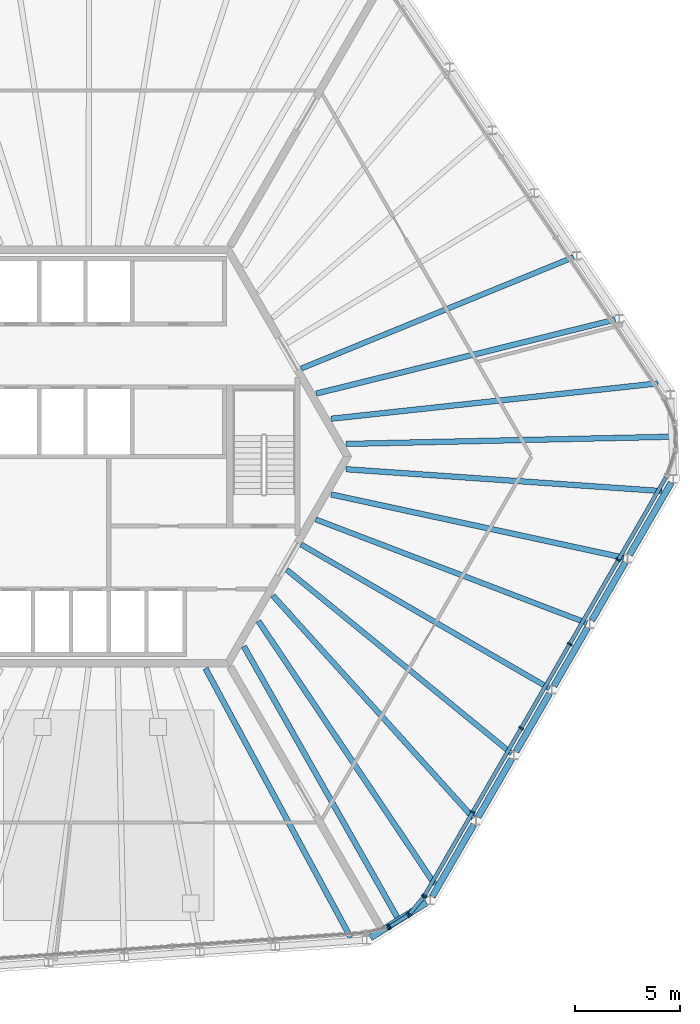
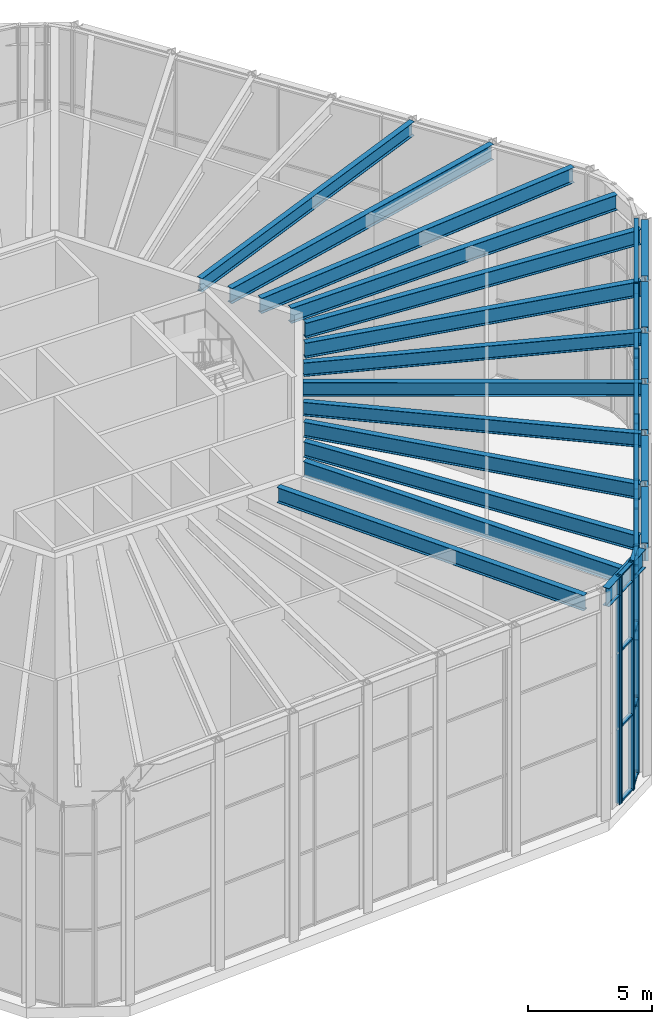
# One storey, part 5 of 17: 38 members, 20 beams, 4 elements without a shape of their own.
"""IFC4 building model written with IfcOpenShell, lengths in metres."""

from ifc_helpers import new_model, si_unit, direction, frame, origin, origin_2d, place, context, subcontext, project, spatial, rectangle, i_section, extrude, material, material_profile, profile_set, type_object, element, aggregate, save


model = new_model("IFC4")

# Units and contexts
model_context = context("Model", 3, precision=1e-05, world=origin(), true_north=direction((0.0, 1.0)))
body_context = subcontext(model_context, "Body", "Model", "MODEL_VIEW")
ifc_project = project(units=[si_unit("LENGTHUNIT", "METRE"), si_unit("AREAUNIT", "SQUARE_METRE"), si_unit("VOLUMEUNIT", "CUBIC_METRE"), si_unit("PLANEANGLEUNIT", "RADIAN"), si_unit("MASSUNIT", "GRAM", prefix="KILO")], contexts=[model_context])

# Site, building, storey
site_placement = place(None, origin())
site = spatial("IfcSite", under=ifc_project, at=site_placement, CompositionType="ELEMENT")
building_placement = place(site_placement, origin())
building = spatial("IfcBuilding", under=site, at=building_placement, Name="Tarnside Tower", CompositionType="ELEMENT")
storey_placement = place(building_placement, frame((0.0, 0.0, 376.800048828125)))
storey = spatial("IfcBuildingStorey", under=building, at=storey_placement, Name="L91", CompositionType="ELEMENT", Elevation=376.800048828125)

# Curtain wall, members
ifc_material_1 = material(Name="Damper hall glazing wall", Category="glass")
curtain_wall_type = type_object("IfcCurtainWallType", Name="Damper hall glazing wall", PredefinedType="NOTDEFINED", material=ifc_material_1)
curtain_wall_1_placement = place(storey_placement, origin())
curtain_wall_1 = element("IfcCurtainWall", 1, at=curtain_wall_1_placement, inside=storey, type_object=curtain_wall_type, Name="Damper hall glazing L91 08", PredefinedType="NOTDEFINED")
ifc_material_2 = material(Name="Aluminium alloy 6063", Category="aluminium")
ifc_material_profile_1 = material_profile(ifc_material_2, rectangle(XDim=0.239990234375, YDim=0.080078125, at=origin_2d()), Name="Damper hall glazing mullion 80 x 240")
ifc_profile_set_1 = profile_set([ifc_material_profile_1], Name="Aluminium alloy 6063")
member_type_1 = type_object("IfcMemberType", Name="Damper hall glazing mullion 80 x 240", PredefinedType="MULLION", material=ifc_profile_set_1)
member_1_placement = place(storey_placement, frame((24.216552734375, -4.915771484375, 0.0), z_axis=(0.0, 0.0, 1.0), x_axis=(0.866025403784, -0.5, 0.0)))
member_1 = element("IfcMember", 2, at=member_1_placement, type_object=member_type_1, Name="CW5 mullion 2", PredefinedType="MULLION", context=body_context, shape_type="SweptSolid", body=[
    extrude(rectangle(XDim=0.239990234375, YDim=0.080078125, at=origin_2d()), origin(), (0.0, 0.0, 1.0), 11.199951171875),
])
member_2_placement = place(storey_placement, frame((21.909423828125, -8.911865234375, 0.0), z_axis=(0.0, 0.0, 1.0), x_axis=(0.866025403784, -0.5, 0.0)))
member_2 = element("IfcMember", 3, at=member_2_placement, type_object=member_type_1, Name="CW5 mullion 3", PredefinedType="MULLION", context=body_context, shape_type="SweptSolid", body=[
    extrude(rectangle(XDim=0.239990234375, YDim=0.080078125, at=origin_2d()), origin(), (0.0, 0.0, 1.0), 11.199951171875),
])
member_3_placement = place(storey_placement, frame((19.602294921875, -12.907958984375, 0.0), z_axis=(0.0, 0.0, 1.0), x_axis=(0.866025403784, -0.5, 0.0)))
member_3 = element("IfcMember", 4, at=member_3_placement, type_object=member_type_1, Name="CW5 mullion 4", PredefinedType="MULLION", context=body_context, shape_type="SweptSolid", body=[
    extrude(rectangle(XDim=0.239990234375, YDim=0.080078125, at=origin_2d()), origin(), (0.0, 0.0, 1.0), 11.199951171875),
])
member_4_placement = place(storey_placement, frame((17.295166015625, -16.904052734375, 0.0), z_axis=(0.0, 0.0, 1.0), x_axis=(0.866025403784, -0.5, 0.0)))
member_4 = element("IfcMember", 5, at=member_4_placement, type_object=member_type_1, Name="CW5 mullion 5", PredefinedType="MULLION", context=body_context, shape_type="SweptSolid", body=[
    extrude(rectangle(XDim=0.239990234375, YDim=0.080078125, at=origin_2d()), origin(), (0.0, 0.0, 1.0), 11.199951171875),
])
member_5_placement = place(storey_placement, frame((15.008056640625, -20.865478515625, 0.0), z_axis=(0.0, 0.0, 1.0), x_axis=(0.866025403784, -0.5, 0.0)))
member_5 = element("IfcMember", 6, at=member_5_placement, type_object=member_type_1, Name="CW5 mullion 6", PredefinedType="MULLION", context=body_context, shape_type="SweptSolid", body=[
    extrude(rectangle(XDim=0.239990234375, YDim=0.080078125, at=origin_2d()), origin(), (0.0, 0.0, 1.0), 11.199951171875),
])

curtain_wall_2_placement = place(storey_placement, origin())
curtain_wall_2 = element("IfcCurtainWall", 7, at=curtain_wall_2_placement, inside=storey, type_object=curtain_wall_type, Name="Damper hall glazing L91 09", PredefinedType="NOTDEFINED")
member_6_placement = place(storey_placement, frame((14.962646484375, -20.930908203125, 0.0), z_axis=(0.0, 0.0, 1.0), x_axis=(0.773471592749, -0.633830967381, 0.0)))
member_6 = element("IfcMember", 8, at=member_6_placement, type_object=member_type_1, Name="CW5 mullion 1", PredefinedType="MULLION", context=body_context, shape_type="SweptSolid", body=[
    extrude(rectangle(XDim=0.239990234375, YDim=0.080078125, at=origin_2d()), origin(), (0.0, 0.0, 1.0), 11.199951171875),
])
member_7_placement = place(storey_placement, frame((14.291015625, -21.75048828125, 0.0), z_axis=(0.0, 0.0, 1.0), x_axis=(0.773471592749, -0.633830967381, 0.0)))
member_7 = element("IfcMember", 9, at=member_7_placement, type_object=member_type_1, Name="CW5 mullion 2", PredefinedType="MULLION", context=body_context, shape_type="SweptSolid", body=[
    extrude(rectangle(XDim=0.239990234375, YDim=0.080078125, at=origin_2d()), origin(), (0.0, 0.0, 1.0), 11.199951171875),
])

curtain_wall_3_placement = place(storey_placement, origin())
curtain_wall_3 = element("IfcCurtainWall", 10, at=curtain_wall_3_placement, inside=storey, type_object=curtain_wall_type, Name="Damper hall glazing L91 10", PredefinedType="NOTDEFINED")
member_8_placement = place(storey_placement, frame((14.231689453125, -21.802734375, 0.0), z_axis=(0.0, 0.0, 1.0), x_axis=(0.5299192637, -0.848048096489, 0.0)))
member_8 = element("IfcMember", 11, at=member_8_placement, type_object=member_type_1, Name="CW5 mullion 1", PredefinedType="MULLION", context=body_context, shape_type="SweptSolid", body=[
    extrude(rectangle(XDim=0.239990234375, YDim=0.080078125, at=origin_2d()), origin(), (0.0, 0.0, 1.0), 11.199951171875),
])
member_9_placement = place(storey_placement, frame((13.357421875, -22.34912109375, 0.0), z_axis=(0.0, 0.0, 1.0), x_axis=(0.5299192637, -0.848048096489, 0.0)))
member_9 = element("IfcMember", 12, at=member_9_placement, type_object=member_type_1, Name="CW5 mullion 2", PredefinedType="MULLION", context=body_context, shape_type="SweptSolid", body=[
    extrude(rectangle(XDim=0.239990234375, YDim=0.080078125, at=origin_2d()), origin(), (0.0, 0.0, 1.0), 11.199951171875),
])

# Curtain wall, member
curtain_wall_4_placement = place(storey_placement, origin())
curtain_wall_4 = element("IfcCurtainWall", 13, at=curtain_wall_4_placement, inside=storey, type_object=curtain_wall_type, Name="Damper hall glazing L91 11", PredefinedType="NOTDEFINED")
member_10_placement = place(storey_placement, frame((13.284423828125, -22.37939453125, 0.0), z_axis=(0.0, 0.0, 1.0), x_axis=(0.230615870839, -0.973044870557, 0.0)))
member_10 = element("IfcMember", 14, at=member_10_placement, type_object=member_type_1, Name="CW5 mullion 1", PredefinedType="MULLION", context=body_context, shape_type="SweptSolid", body=[
    extrude(rectangle(XDim=0.239990234375, YDim=0.080078125, at=origin_2d()), origin(), (0.0, 0.0, 1.0), 11.199951171875),
])
aggregate(curtain_wall_4, [member_10])

# Member
ifc_material_profile_2 = material_profile(ifc_material_2, rectangle(XDim=0.179931640625, YDim=0.080078125, at=origin_2d()), Name="Damper hall glazing transom 80 x 180")
ifc_profile_set_2 = profile_set([ifc_material_profile_2], Name="Aluminium alloy 6063")
member_type_2 = type_object("IfcMemberType", Name="Damper hall glazing transom 80 x 180", PredefinedType="USERDEFINED", material=ifc_profile_set_2)
member_11_placement = place(storey_placement, frame((26.483642578125, -0.989013671875, 0.0400390625), z_axis=(-0.500012411649, -0.866018237797, 0.0), x_axis=(0.866018237797, -0.500012411649, 0.0)))
member_11 = element("IfcMember", 15, at=member_11_placement, type_object=member_type_2, Name="CW5 transom 1.1", ObjectType="TRANSOM", PredefinedType="USERDEFINED", context=body_context, shape_type="SweptSolid", body=[
    extrude(rectangle(XDim=0.179931640625, YDim=0.080078125, at=origin_2d()), origin(), (0.0, 0.0, 1.0), 4.49462890625),
])

member_12_placement = place(storey_placement, frame((26.483642578125, -0.989013671875, 3.733154296875), z_axis=(-0.500012411649, -0.866018237797, 0.0), x_axis=(0.866018237797, -0.500012411649, 0.0)))
member_12 = element("IfcMember", 16, at=member_12_placement, type_object=member_type_2, Name="CW5 transom 1.2", ObjectType="TRANSOM", PredefinedType="USERDEFINED", context=body_context, shape_type="SweptSolid", body=[
    extrude(rectangle(XDim=0.179931640625, YDim=0.080078125, at=origin_2d()), origin(), (0.0, 0.0, 1.0), 4.49462890625),
])

member_13_placement = place(storey_placement, frame((26.483642578125, -0.989013671875, 7.466552734375), z_axis=(-0.500012411649, -0.866018237797, 0.0), x_axis=(0.866018237797, -0.500012411649, 0.0)))
member_13 = element("IfcMember", 17, at=member_13_placement, type_object=member_type_2, Name="CW5 transom 1.3", ObjectType="TRANSOM", PredefinedType="USERDEFINED", context=body_context, shape_type="SweptSolid", body=[
    extrude(rectangle(XDim=0.179931640625, YDim=0.080078125, at=origin_2d()), origin(), (0.0, 0.0, 1.0), 4.49462890625),
])

member_14_placement = place(storey_placement, frame((26.483642578125, -0.989013671875, 11.159912109375), z_axis=(-0.500012411649, -0.866018237797, 0.0), x_axis=(0.866018237797, -0.500012411649, 0.0)))
member_14 = element("IfcMember", 18, at=member_14_placement, type_object=member_type_2, Name="CW5 transom 1.4", ObjectType="TRANSOM", PredefinedType="USERDEFINED", context=body_context, shape_type="SweptSolid", body=[
    extrude(rectangle(XDim=0.179931640625, YDim=0.080078125, at=origin_2d()), origin(), (0.0, 0.0, 1.0), 4.49462890625),
])

member_15_placement = place(storey_placement, frame((24.196533203125, -4.950439453125, 0.0400390625), z_axis=(-0.499995891842, -0.866027775618, 0.0), x_axis=(0.866027775618, -0.499995891842, 0.0)))
member_15 = element("IfcMember", 19, at=member_15_placement, type_object=member_type_2, Name="CW5 transom 2.1", ObjectType="TRANSOM", PredefinedType="USERDEFINED", context=body_context, shape_type="SweptSolid", body=[
    extrude(rectangle(XDim=0.179931640625, YDim=0.080078125, at=origin_2d()), origin(), (0.0, 0.0, 1.0), 4.5341796875),
])

member_16_placement = place(storey_placement, frame((24.196533203125, -4.950439453125, 3.733154296875), z_axis=(-0.499995891842, -0.866027775618, 0.0), x_axis=(0.866027775618, -0.499995891842, 0.0)))
member_16 = element("IfcMember", 20, at=member_16_placement, type_object=member_type_2, Name="CW5 transom 2.2", ObjectType="TRANSOM", PredefinedType="USERDEFINED", context=body_context, shape_type="SweptSolid", body=[
    extrude(rectangle(XDim=0.179931640625, YDim=0.080078125, at=origin_2d()), origin(), (0.0, 0.0, 1.0), 4.5341796875),
])

member_17_placement = place(storey_placement, frame((24.196533203125, -4.950439453125, 7.466552734375), z_axis=(-0.499995891842, -0.866027775618, 0.0), x_axis=(0.866027775618, -0.499995891842, 0.0)))
member_17 = element("IfcMember", 21, at=member_17_placement, type_object=member_type_2, Name="CW5 transom 2.3", ObjectType="TRANSOM", PredefinedType="USERDEFINED", context=body_context, shape_type="SweptSolid", body=[
    extrude(rectangle(XDim=0.179931640625, YDim=0.080078125, at=origin_2d()), origin(), (0.0, 0.0, 1.0), 4.5341796875),
])

member_18_placement = place(storey_placement, frame((24.196533203125, -4.950439453125, 11.159912109375), z_axis=(-0.499995891842, -0.866027775618, 0.0), x_axis=(0.866027775618, -0.499995891842, 0.0)))
member_18 = element("IfcMember", 22, at=member_18_placement, type_object=member_type_2, Name="CW5 transom 2.4", ObjectType="TRANSOM", PredefinedType="USERDEFINED", context=body_context, shape_type="SweptSolid", body=[
    extrude(rectangle(XDim=0.179931640625, YDim=0.080078125, at=origin_2d()), origin(), (0.0, 0.0, 1.0), 4.5341796875),
])

member_19_placement = place(storey_placement, frame((21.889404296875, -8.946533203125, 0.0400390625), z_axis=(-0.499995891842, -0.866027775618, 0.0), x_axis=(0.866027775618, -0.499995891842, 0.0)))
member_19 = element("IfcMember", 23, at=member_19_placement, type_object=member_type_2, Name="CW5 transom 3.1", ObjectType="TRANSOM", PredefinedType="USERDEFINED", context=body_context, shape_type="SweptSolid", body=[
    extrude(rectangle(XDim=0.179931640625, YDim=0.080078125, at=origin_2d()), origin(), (0.0, 0.0, 1.0), 4.5341796875),
])

member_20_placement = place(storey_placement, frame((21.889404296875, -8.946533203125, 3.733154296875), z_axis=(-0.499995891842, -0.866027775618, 0.0), x_axis=(0.866027775618, -0.499995891842, 0.0)))
member_20 = element("IfcMember", 24, at=member_20_placement, type_object=member_type_2, Name="CW5 transom 3.2", ObjectType="TRANSOM", PredefinedType="USERDEFINED", context=body_context, shape_type="SweptSolid", body=[
    extrude(rectangle(XDim=0.179931640625, YDim=0.080078125, at=origin_2d()), origin(), (0.0, 0.0, 1.0), 4.5341796875),
])

member_21_placement = place(storey_placement, frame((21.889404296875, -8.946533203125, 7.466552734375), z_axis=(-0.499995891842, -0.866027775618, 0.0), x_axis=(0.866027775618, -0.499995891842, 0.0)))
member_21 = element("IfcMember", 25, at=member_21_placement, type_object=member_type_2, Name="CW5 transom 3.3", ObjectType="TRANSOM", PredefinedType="USERDEFINED", context=body_context, shape_type="SweptSolid", body=[
    extrude(rectangle(XDim=0.179931640625, YDim=0.080078125, at=origin_2d()), origin(), (0.0, 0.0, 1.0), 4.5341796875),
])

member_22_placement = place(storey_placement, frame((21.889404296875, -8.946533203125, 11.159912109375), z_axis=(-0.499995891842, -0.866027775618, 0.0), x_axis=(0.866027775618, -0.499995891842, 0.0)))
member_22 = element("IfcMember", 26, at=member_22_placement, type_object=member_type_2, Name="CW5 transom 3.4", ObjectType="TRANSOM", PredefinedType="USERDEFINED", context=body_context, shape_type="SweptSolid", body=[
    extrude(rectangle(XDim=0.179931640625, YDim=0.080078125, at=origin_2d()), origin(), (0.0, 0.0, 1.0), 4.5341796875),
])

member_23_placement = place(storey_placement, frame((19.582275390625, -12.942626953125, 0.0400390625), z_axis=(-0.499995891842, -0.866027775618, 0.0), x_axis=(0.866027775618, -0.499995891842, 0.0)))
member_23 = element("IfcMember", 27, at=member_23_placement, type_object=member_type_2, Name="CW5 transom 4.1", ObjectType="TRANSOM", PredefinedType="USERDEFINED", context=body_context, shape_type="SweptSolid", body=[
    extrude(rectangle(XDim=0.179931640625, YDim=0.080078125, at=origin_2d()), origin(), (0.0, 0.0, 1.0), 4.5341796875),
])

member_24_placement = place(storey_placement, frame((19.582275390625, -12.942626953125, 3.733154296875), z_axis=(-0.499995891842, -0.866027775618, 0.0), x_axis=(0.866027775618, -0.499995891842, 0.0)))
member_24 = element("IfcMember", 28, at=member_24_placement, type_object=member_type_2, Name="CW5 transom 4.2", ObjectType="TRANSOM", PredefinedType="USERDEFINED", context=body_context, shape_type="SweptSolid", body=[
    extrude(rectangle(XDim=0.179931640625, YDim=0.080078125, at=origin_2d()), origin(), (0.0, 0.0, 1.0), 4.5341796875),
])

member_25_placement = place(storey_placement, frame((19.582275390625, -12.942626953125, 7.466552734375), z_axis=(-0.499995891842, -0.866027775618, 0.0), x_axis=(0.866027775618, -0.499995891842, 0.0)))
member_25 = element("IfcMember", 29, at=member_25_placement, type_object=member_type_2, Name="CW5 transom 4.3", ObjectType="TRANSOM", PredefinedType="USERDEFINED", context=body_context, shape_type="SweptSolid", body=[
    extrude(rectangle(XDim=0.179931640625, YDim=0.080078125, at=origin_2d()), origin(), (0.0, 0.0, 1.0), 4.5341796875),
])

member_26_placement = place(storey_placement, frame((19.582275390625, -12.942626953125, 11.159912109375), z_axis=(-0.499995891842, -0.866027775618, 0.0), x_axis=(0.866027775618, -0.499995891842, 0.0)))
member_26 = element("IfcMember", 30, at=member_26_placement, type_object=member_type_2, Name="CW5 transom 4.4", ObjectType="TRANSOM", PredefinedType="USERDEFINED", context=body_context, shape_type="SweptSolid", body=[
    extrude(rectangle(XDim=0.179931640625, YDim=0.080078125, at=origin_2d()), origin(), (0.0, 0.0, 1.0), 4.5341796875),
])

member_27_placement = place(storey_placement, frame((17.275146484375, -16.938720703125, 0.0400390625), z_axis=(-0.499995192696, -0.866028179265, 0.0), x_axis=(0.866028179265, -0.499995192696, 0.0)))
member_27 = element("IfcMember", 31, at=member_27_placement, type_object=member_type_2, Name="CW5 transom 5.1", ObjectType="TRANSOM", PredefinedType="USERDEFINED", context=body_context, shape_type="SweptSolid", body=[
    extrude(rectangle(XDim=0.179931640625, YDim=0.080078125, at=origin_2d()), origin(), (0.0, 0.0, 1.0), 4.494140625),
])

member_28_placement = place(storey_placement, frame((17.275146484375, -16.938720703125, 3.733154296875), z_axis=(-0.499995192696, -0.866028179265, 0.0), x_axis=(0.866028179265, -0.499995192696, 0.0)))
member_28 = element("IfcMember", 32, at=member_28_placement, type_object=member_type_2, Name="CW5 transom 5.2", ObjectType="TRANSOM", PredefinedType="USERDEFINED", context=body_context, shape_type="SweptSolid", body=[
    extrude(rectangle(XDim=0.179931640625, YDim=0.080078125, at=origin_2d()), origin(), (0.0, 0.0, 1.0), 4.494140625),
])

member_29_placement = place(storey_placement, frame((17.275146484375, -16.938720703125, 7.466552734375), z_axis=(-0.499995192696, -0.866028179265, 0.0), x_axis=(0.866028179265, -0.499995192696, 0.0)))
member_29 = element("IfcMember", 33, at=member_29_placement, type_object=member_type_2, Name="CW5 transom 5.3", ObjectType="TRANSOM", PredefinedType="USERDEFINED", context=body_context, shape_type="SweptSolid", body=[
    extrude(rectangle(XDim=0.179931640625, YDim=0.080078125, at=origin_2d()), origin(), (0.0, 0.0, 1.0), 4.494140625),
])

member_30_placement = place(storey_placement, frame((17.275146484375, -16.938720703125, 11.159912109375), z_axis=(-0.499995192696, -0.866028179265, 0.0), x_axis=(0.866028179265, -0.499995192696, 0.0)))
member_30 = element("IfcMember", 34, at=member_30_placement, type_object=member_type_2, Name="CW5 transom 5.4", ObjectType="TRANSOM", PredefinedType="USERDEFINED", context=body_context, shape_type="SweptSolid", body=[
    extrude(rectangle(XDim=0.179931640625, YDim=0.080078125, at=origin_2d()), origin(), (0.0, 0.0, 1.0), 4.494140625),
])

aggregate(curtain_wall_1, [member_1, member_2, member_3, member_4, member_5, member_11, member_12, member_13, member_14, member_15, member_16, member_17, member_18, member_19, member_20, member_21, member_22, member_23, member_24, member_25, member_26, member_27, member_28, member_29, member_30])

member_31_placement = place(storey_placement, frame((14.937255859375, -20.9619140625, 0.0400390625), z_axis=(-0.633739777138, -0.773546310749, 0.0), x_axis=(0.773546310749, -0.633739777138, 0.0)))
member_31 = element("IfcMember", 35, at=member_31_placement, type_object=member_type_2, Name="CW5 transom 1.1", ObjectType="TRANSOM", PredefinedType="USERDEFINED", context=body_context, shape_type="SweptSolid", body=[
    extrude(rectangle(XDim=0.179931640625, YDim=0.080078125, at=origin_2d()), origin(), (0.0, 0.0, 1.0), 0.979736328125),
])

member_32_placement = place(storey_placement, frame((14.937255859375, -20.9619140625, 3.733154296875), z_axis=(-0.633739777138, -0.773546310749, 0.0), x_axis=(0.773546310749, -0.633739777138, 0.0)))
member_32 = element("IfcMember", 36, at=member_32_placement, type_object=member_type_2, Name="CW5 transom 1.2", ObjectType="TRANSOM", PredefinedType="USERDEFINED", context=body_context, shape_type="SweptSolid", body=[
    extrude(rectangle(XDim=0.179931640625, YDim=0.080078125, at=origin_2d()), origin(), (0.0, 0.0, 1.0), 0.979736328125),
])

member_33_placement = place(storey_placement, frame((14.937255859375, -20.9619140625, 7.466552734375), z_axis=(-0.633739777138, -0.773546310749, 0.0), x_axis=(0.773546310749, -0.633739777138, 0.0)))
member_33 = element("IfcMember", 37, at=member_33_placement, type_object=member_type_2, Name="CW5 transom 1.3", ObjectType="TRANSOM", PredefinedType="USERDEFINED", context=body_context, shape_type="SweptSolid", body=[
    extrude(rectangle(XDim=0.179931640625, YDim=0.080078125, at=origin_2d()), origin(), (0.0, 0.0, 1.0), 0.979736328125),
])

member_34_placement = place(storey_placement, frame((14.937255859375, -20.9619140625, 11.159912109375), z_axis=(-0.633739777138, -0.773546310749, 0.0), x_axis=(0.773546310749, -0.633739777138, 0.0)))
member_34 = element("IfcMember", 38, at=member_34_placement, type_object=member_type_2, Name="CW5 transom 1.4", ObjectType="TRANSOM", PredefinedType="USERDEFINED", context=body_context, shape_type="SweptSolid", body=[
    extrude(rectangle(XDim=0.179931640625, YDim=0.080078125, at=origin_2d()), origin(), (0.0, 0.0, 1.0), 0.979736328125),
])

aggregate(curtain_wall_2, [member_6, member_7, member_31, member_32, member_33, member_34])

member_35_placement = place(storey_placement, frame((14.19775390625, -21.823974609375, 0.0400390625), z_axis=(-0.848041573463, -0.529929702582, 0.0), x_axis=(0.529929702582, -0.848041573463, 0.0)))
member_35 = element("IfcMember", 39, at=member_35_placement, type_object=member_type_2, Name="CW5 transom 1.1", ObjectType="TRANSOM", PredefinedType="USERDEFINED", context=body_context, shape_type="SweptSolid", body=[
    extrude(rectangle(XDim=0.179931640625, YDim=0.080078125, at=origin_2d()), origin(), (0.0, 0.0, 1.0), 0.950927734375),
])

member_36_placement = place(storey_placement, frame((14.19775390625, -21.823974609375, 3.733154296875), z_axis=(-0.848041573463, -0.529929702582, 0.0), x_axis=(0.529929702582, -0.848041573463, 0.0)))
member_36 = element("IfcMember", 40, at=member_36_placement, type_object=member_type_2, Name="CW5 transom 1.2", ObjectType="TRANSOM", PredefinedType="USERDEFINED", context=body_context, shape_type="SweptSolid", body=[
    extrude(rectangle(XDim=0.179931640625, YDim=0.080078125, at=origin_2d()), origin(), (0.0, 0.0, 1.0), 0.950927734375),
])

member_37_placement = place(storey_placement, frame((14.19775390625, -21.823974609375, 7.466552734375), z_axis=(-0.848041573463, -0.529929702582, 0.0), x_axis=(0.529929702582, -0.848041573463, 0.0)))
member_37 = element("IfcMember", 41, at=member_37_placement, type_object=member_type_2, Name="CW5 transom 1.3", ObjectType="TRANSOM", PredefinedType="USERDEFINED", context=body_context, shape_type="SweptSolid", body=[
    extrude(rectangle(XDim=0.179931640625, YDim=0.080078125, at=origin_2d()), origin(), (0.0, 0.0, 1.0), 0.950927734375),
])

member_38_placement = place(storey_placement, frame((14.19775390625, -21.823974609375, 11.159912109375), z_axis=(-0.848041573463, -0.529929702582, 0.0), x_axis=(0.529929702582, -0.848041573463, 0.0)))
member_38 = element("IfcMember", 42, at=member_38_placement, type_object=member_type_2, Name="CW5 transom 1.4", ObjectType="TRANSOM", PredefinedType="USERDEFINED", context=body_context, shape_type="SweptSolid", body=[
    extrude(rectangle(XDim=0.179931640625, YDim=0.080078125, at=origin_2d()), origin(), (0.0, 0.0, 1.0), 0.950927734375),
])

aggregate(curtain_wall_3, [member_8, member_9, member_35, member_36, member_37, member_38])

# Beams
ifc_material_3 = material(Name="Steel S355", Category="steel")
ifc_material_profile_3 = material_profile(ifc_material_3, i_section(OverallWidth=0.2529296875, OverallDepth=0.677978515625, WebThickness=0.01171875, FlangeThickness=0.01611328125, FilletRadius=0.01513671875, at=origin_2d()), Name="UB 686x254x125")
ifc_profile_set_3 = profile_set([ifc_material_profile_3], Name="Steel S355")
beam_type_1 = type_object("IfcBeamType", Name="Floor beam UB 686x254x125", PredefinedType="BEAM", material=ifc_profile_set_3)
beam_1_placement = place(storey_placement, frame((19.14599609375, -14.10888671875, 10.861083984375), z_axis=(-0.77444989476, 0.632635250762, 0.0), x_axis=(-0.632635250762, -0.77444989476, 0.0)))
element("IfcBeam", 43, at=beam_1_placement, inside=storey, type_object=beam_type_1, Name="Floor beam F5.03", PredefinedType="BEAM", context=body_context, shape_type="SweptSolid", body=[
    extrude(i_section(OverallWidth=0.2529296875, OverallDepth=0.677978515625, WebThickness=0.01171875, FlangeThickness=0.01611328125, FilletRadius=0.01513671875, at=origin_2d()), origin(), (0.0, 0.0, 1.0), 13.794677734375),
])
beam_2_placement = place(storey_placement, frame((20.95166015625, -11.0205078125, 10.861083984375), z_axis=(-0.865304665893, 0.501246281966, 0.0), x_axis=(-0.501246281966, -0.865304665893, 0.0)))
element("IfcBeam", 44, at=beam_2_placement, inside=storey, type_object=beam_type_1, Name="Floor beam F5.04", PredefinedType="BEAM", context=body_context, shape_type="SweptSolid", body=[
    extrude(i_section(OverallWidth=0.2529296875, OverallDepth=0.677978515625, WebThickness=0.01171875, FlangeThickness=0.01611328125, FilletRadius=0.01513671875, at=origin_2d()), origin(), (0.0, 0.0, 1.0), 13.655029296875),
])
beam_3_placement = place(storey_placement, frame((22.723388671875, -7.91259765625, 10.861083984375), z_axis=(-0.934101509717, 0.35700752029, 0.0), x_axis=(-0.35700752029, -0.934101509717, 0.0)))
element("IfcBeam", 45, at=beam_3_placement, inside=storey, type_object=beam_type_1, Name="Floor beam F5.05", PredefinedType="BEAM", context=body_context, shape_type="SweptSolid", body=[
    extrude(i_section(OverallWidth=0.2529296875, OverallDepth=0.677978515625, WebThickness=0.01171875, FlangeThickness=0.01611328125, FilletRadius=0.01513671875, at=origin_2d()), origin(), (0.0, 0.0, 1.0), 13.78857421875),
])
beam_4_placement = place(storey_placement, frame((22.093994140625, 9.476318359375, 10.861083984375), z_axis=(-0.925564202359, -0.378590685716, 0.0), x_axis=(0.378590685716, -0.925564202359, 0.0)))
element("IfcBeam", 46, at=beam_4_placement, inside=storey, type_object=beam_type_1, Name="Floor beam F6.03", PredefinedType="BEAM", context=body_context, shape_type="SweptSolid", body=[
    extrude(i_section(OverallWidth=0.2529296875, OverallDepth=0.677978515625, WebThickness=0.01171875, FlangeThickness=0.01611328125, FilletRadius=0.01513671875, at=origin_2d()), origin(), (0.0, 0.0, 1.0), 13.97998046875),
])
ifc_material_profile_4 = material_profile(ifc_material_3, i_section(OverallWidth=0.26513671875, OverallDepth=0.75390625, WebThickness=0.0126953125, FlangeThickness=0.017578125, FilletRadius=0.0166015625, at=origin_2d()), Name="UB 762x267x147")
ifc_profile_set_4 = profile_set([ifc_material_profile_4], Name="Steel S355")
beam_type_2 = type_object("IfcBeamType", Name="Floor beam UB 762x267x147", PredefinedType="BEAM", material=ifc_profile_set_4)
beam_5_placement = place(storey_placement, frame((11.494384765625, -22.854248046875, 10.822998046875), z_axis=(-0.47479726581, 0.880095197339, 0.0), x_axis=(-0.880095197339, -0.47479726581, 0.0)))
element("IfcBeam", 47, at=beam_5_placement, inside=storey, type_object=beam_type_2, Name="Floor beam F4.07", PredefinedType="BEAM", context=body_context, shape_type="SweptSolid", body=[
    extrude(i_section(OverallWidth=0.26513671875, OverallDepth=0.75390625, WebThickness=0.0126953125, FlangeThickness=0.017578125, FilletRadius=0.0166015625, at=origin_2d()), origin(), (0.0, 0.0, 1.0), 14.525634765625),
])
beam_6_placement = place(storey_placement, frame((13.715087890625, -21.9052734375, 10.822998046875), z_axis=(-0.492631908046, 0.870237785422, 0.0), x_axis=(-0.870237785422, -0.492631908046, 0.0)))
element("IfcBeam", 48, at=beam_6_placement, inside=storey, type_object=beam_type_2, Name="Floor beam C4", PredefinedType="BEAM", context=body_context, shape_type="SweptSolid", body=[
    extrude(i_section(OverallWidth=0.26513671875, OverallDepth=0.75390625, WebThickness=0.0126953125, FlangeThickness=0.017578125, FilletRadius=0.0166015625, at=origin_2d()), origin(), (0.0, 0.0, 1.0), 14.80859375),
])
beam_7_placement = place(storey_placement, frame((15.4951171875, -20.327880859375, 10.822998046875), z_axis=(-0.556715719888, 0.830703080065, 0.0), x_axis=(-0.830703080065, -0.556715719888, 0.0)))
element("IfcBeam", 49, at=beam_7_placement, inside=storey, type_object=beam_type_2, Name="Floor beam F5.01", PredefinedType="BEAM", context=body_context, shape_type="SweptSolid", body=[
    extrude(i_section(OverallWidth=0.26513671875, OverallDepth=0.75390625, WebThickness=0.0126953125, FlangeThickness=0.017578125, FilletRadius=0.0166015625, at=origin_2d()), origin(), (0.0, 0.0, 1.0), 15.054443359375),
])
beam_8_placement = place(storey_placement, frame((17.330810546875, -17.177734375, 10.822998046875), z_axis=(-0.669692178112, 0.742638799536, 0.0), x_axis=(-0.742638799536, -0.669692178112, 0.0)))
element("IfcBeam", 50, at=beam_8_placement, inside=storey, type_object=beam_type_2, Name="Floor beam F5.02", PredefinedType="BEAM", context=body_context, shape_type="SweptSolid", body=[
    extrude(i_section(OverallWidth=0.26513671875, OverallDepth=0.75390625, WebThickness=0.0126953125, FlangeThickness=0.017578125, FilletRadius=0.0166015625, at=origin_2d()), origin(), (0.0, 0.0, 1.0), 14.234130859375),
])
beam_9_placement = place(storey_placement, frame((24.4736328125, -4.805908203125, 10.822998046875), z_axis=(-0.977447311978, 0.211179431541, 0.0), x_axis=(-0.211179431541, -0.977447311978, 0.0)))
element("IfcBeam", 51, at=beam_9_placement, inside=storey, type_object=beam_type_2, Name="Floor beam F5.06", PredefinedType="BEAM", context=body_context, shape_type="SweptSolid", body=[
    extrude(i_section(OverallWidth=0.26513671875, OverallDepth=0.75390625, WebThickness=0.0126953125, FlangeThickness=0.017578125, FilletRadius=0.0166015625, at=origin_2d()), origin(), (0.0, 0.0, 1.0), 14.22216796875),
])
beam_10_placement = place(storey_placement, frame((26.283935546875, -1.64111328125, 10.822998046875), z_axis=(-0.997609841035, 0.069098517128, 0.0), x_axis=(-0.069098517128, -0.997609841035, 0.0)))
element("IfcBeam", 52, at=beam_10_placement, inside=storey, type_object=beam_type_2, Name="Floor beam F5.07", PredefinedType="BEAM", context=body_context, shape_type="SweptSolid", body=[
    extrude(i_section(OverallWidth=0.26513671875, OverallDepth=0.75390625, WebThickness=0.0126953125, FlangeThickness=0.017578125, FilletRadius=0.0166015625, at=origin_2d()), origin(), (0.0, 0.0, 1.0), 15.037353515625),
])
beam_11_placement = place(storey_placement, frame((26.6484375, 0.938720703125, 10.822998046875), z_axis=(-0.999754813741, -0.022142998941, 0.0), x_axis=(0.022142998941, -0.999754813741, 0.0)))
element("IfcBeam", 53, at=beam_11_placement, inside=storey, type_object=beam_type_2, Name="Floor beam C5", PredefinedType="BEAM", context=body_context, shape_type="SweptSolid", body=[
    extrude(i_section(OverallWidth=0.26513671875, OverallDepth=0.75390625, WebThickness=0.0126953125, FlangeThickness=0.017578125, FilletRadius=0.0166015625, at=origin_2d()), origin(), (0.0, 0.0, 1.0), 15.36962890625),
])
beam_12_placement = place(storey_placement, frame((26.1025390625, 3.476806640625, 10.822998046875), z_axis=(-0.994194582008, -0.107597086884, 0.0), x_axis=(0.107597086884, -0.994194582008, 0.0)))
element("IfcBeam", 54, at=beam_12_placement, inside=storey, type_object=beam_type_2, Name="Floor beam F6.01", PredefinedType="BEAM", context=body_context, shape_type="SweptSolid", body=[
    extrude(i_section(OverallWidth=0.26513671875, OverallDepth=0.75390625, WebThickness=0.0126953125, FlangeThickness=0.017578125, FilletRadius=0.0166015625, at=origin_2d()), origin(), (0.0, 0.0, 1.0), 15.619873046875),
])
beam_13_placement = place(storey_placement, frame((24.0751953125, 6.50830078125, 10.822998046875), z_axis=(-0.970735012924, -0.240153148393, 0.0), x_axis=(0.240153148393, -0.970735012924, 0.0)))
element("IfcBeam", 55, at=beam_13_placement, inside=storey, type_object=beam_type_2, Name="Floor beam F6.02", PredefinedType="BEAM", context=body_context, shape_type="SweptSolid", body=[
    extrude(i_section(OverallWidth=0.26513671875, OverallDepth=0.75390625, WebThickness=0.0126953125, FlangeThickness=0.017578125, FilletRadius=0.0166015625, at=origin_2d()), origin(), (0.0, 0.0, 1.0), 14.64013671875),
])
ifc_material_profile_5 = material_profile(ifc_material_3, i_section(OverallWidth=0.30322265625, OverallDepth=0.903076171875, WebThickness=0.01513671875, FlangeThickness=0.020263671875, FilletRadius=0.01904296875, at=origin_2d()), Name="UB 914x305x201")
ifc_profile_set_5 = profile_set([ifc_material_profile_5], Name="Steel S355")
beam_type_3 = type_object("IfcBeamType", Name="Perimeter girder UB 914x305x201", PredefinedType="BEAM", material=ifc_profile_set_5)
beam_14_placement = place(storey_placement, frame((12.437744140625, -22.868408203125, 10.74853515625), z_axis=(0.848068156284, 0.529887159966, 0.0), x_axis=(-0.529887159966, 0.848068156284, 0.0)))
element("IfcBeam", 56, at=beam_14_placement, inside=storey, type_object=beam_type_3, Name="Perimeter girder R28", PredefinedType="BEAM", context=body_context, shape_type="SweptSolid", body=[
    extrude(i_section(OverallWidth=0.30322265625, OverallDepth=0.903076171875, WebThickness=0.01513671875, FlangeThickness=0.020263671875, FilletRadius=0.01904296875, at=origin_2d()), origin(), (0.0, 0.0, 1.0), 3.141357421875),
])
beam_15_placement = place(storey_placement, frame((15.373291015625, -20.92236328125, 10.74853515625), z_axis=(0.500008652755, 0.866020408056, 0.0), x_axis=(-0.866020408056, 0.500008652755, 0.0)))
element("IfcBeam", 57, at=beam_15_placement, inside=storey, type_object=beam_type_3, Name="Perimeter girder R29", PredefinedType="BEAM", context=body_context, shape_type="SweptSolid", body=[
    extrude(i_section(OverallWidth=0.30322265625, OverallDepth=0.903076171875, WebThickness=0.01513671875, FlangeThickness=0.020263671875, FilletRadius=0.01904296875, at=origin_2d()), origin(), (0.0, 0.0, 1.0), 3.962890625),
])
beam_16_placement = place(storey_placement, frame((17.556396484375, -17.1416015625, 10.74853515625), z_axis=(0.499958224067, 0.866049521787, 0.0), x_axis=(-0.866049521787, 0.499958224067, 0.0)))
element("IfcBeam", 58, at=beam_16_placement, inside=storey, type_object=beam_type_3, Name="Perimeter girder R30", PredefinedType="BEAM", context=body_context, shape_type="SweptSolid", body=[
    extrude(i_section(OverallWidth=0.30322265625, OverallDepth=0.903076171875, WebThickness=0.01513671875, FlangeThickness=0.020263671875, FilletRadius=0.01904296875, at=origin_2d()), origin(), (0.0, 0.0, 1.0), 3.197021484375),
])
for number, where, z_axis, x_axis, name in (
    (59, (19.356201171875, -14.02392578125, 10.74853515625), (0.500015497334, 0.86601645621, 0.0), (-0.86601645621, 0.500015497334, 0.0), "Perimeter girder R31"),
    (60, (21.15625, -10.90625, 10.74853515625), (0.500015497334, 0.86601645621, 0.0), (-0.86601645621, 0.500015497334, 0.0), "Perimeter girder R32"),
    (61, (22.956298828125, -7.78857421875, 10.74853515625), (0.500015497334, 0.86601645621, 0.0), (-0.86601645621, 0.500015497334, 0.0), "Perimeter girder R33"),
):
    element("IfcBeam", number, at=place(storey_placement, frame(where, z_axis=z_axis, x_axis=x_axis)), inside=storey, type_object=beam_type_3, Name=name, PredefinedType="BEAM", context=body_context, shape_type="SweptSolid", body=[
        extrude(i_section(OverallWidth=0.30322265625, OverallDepth=0.903076171875, WebThickness=0.01513671875, FlangeThickness=0.020263671875, FilletRadius=0.01904296875, at=origin_2d()), origin(), (0.0, 0.0, 1.0), 3.197265625),
    ])
beam_17_placement = place(storey_placement, frame((24.75634765625, -4.6708984375, 10.74853515625), z_axis=(0.500008652755, 0.866020408056, 0.0), x_axis=(-0.866020408056, 0.500008652755, 0.0)))
element("IfcBeam", 62, at=beam_17_placement, inside=storey, type_object=beam_type_3, Name="Perimeter girder R34", PredefinedType="BEAM", context=body_context, shape_type="SweptSolid", body=[
    extrude(i_section(OverallWidth=0.30322265625, OverallDepth=0.903076171875, WebThickness=0.01513671875, FlangeThickness=0.020263671875, FilletRadius=0.01904296875, at=origin_2d()), origin(), (0.0, 0.0, 1.0), 3.962890625),
])

save(model, "model.ifc")
